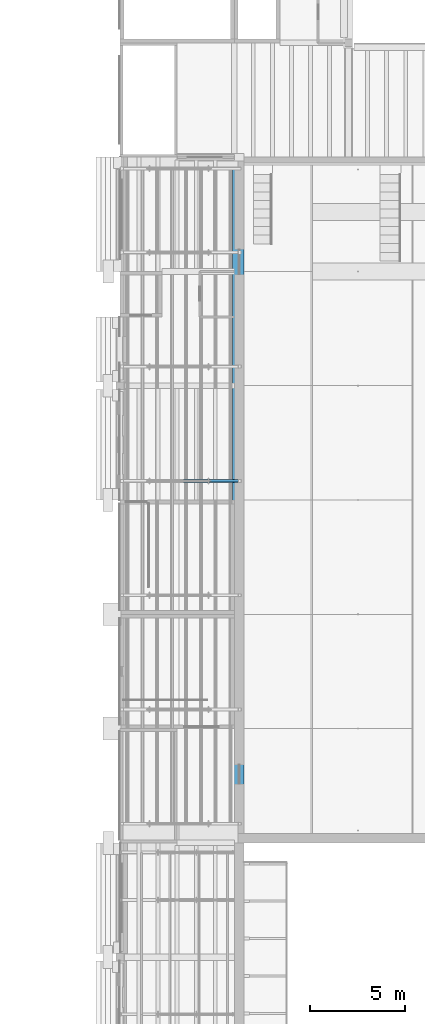
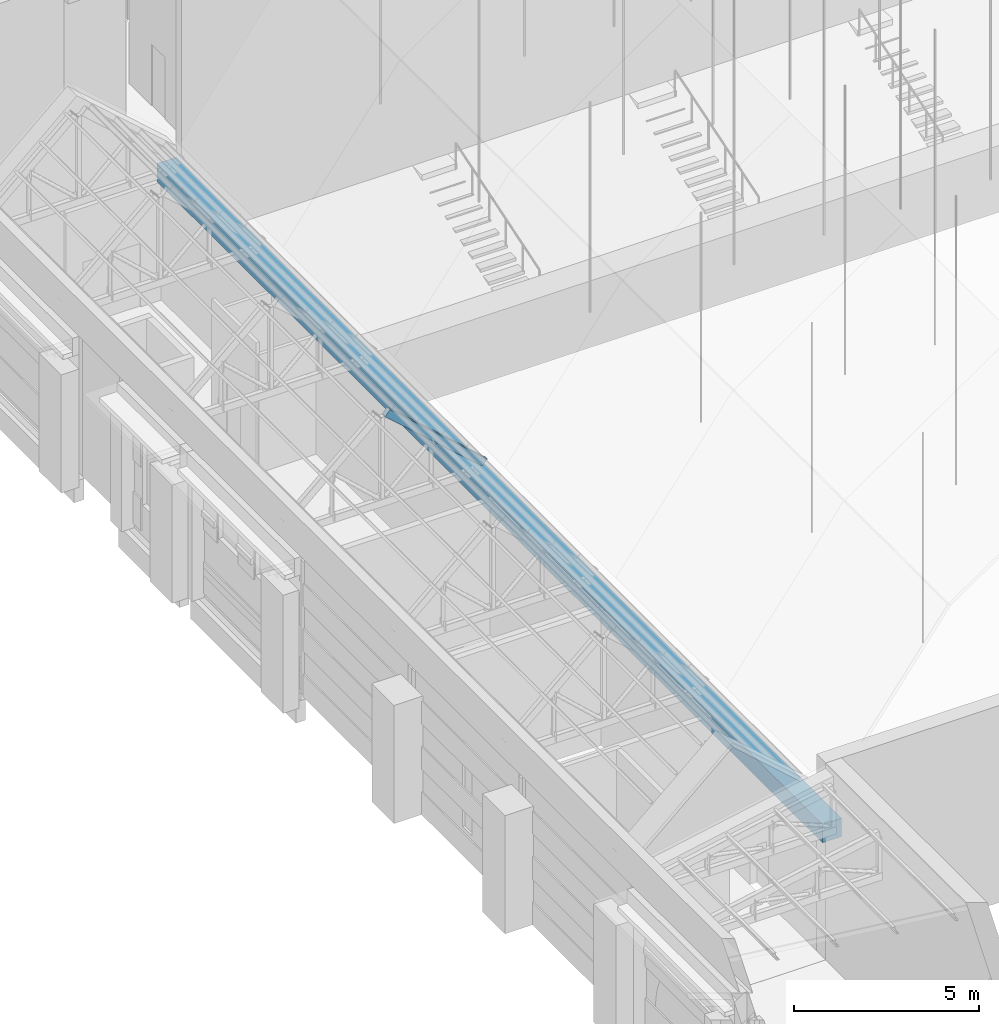
# One storey, part 39 of 118: 1 beam, 1 member.
"""IFC4 building model written with IfcOpenShell, lengths in metres."""

from ifc_helpers import new_model, si_unit, direction, frame, origin, origin_2d, place, context, subcontext, project, spatial, rectangle, hollow_rectangle, extrude, material, material_profile, profile_set, type_object, element, save


model = new_model("IFC4")

# Units and contexts
model_context = context("Model", 3, precision=1e-05, world=origin(), true_north=direction((0.0, 1.0)))
body_context = subcontext(model_context, "Body", "Model", "MODEL_VIEW")
ifc_project = project(units=[si_unit("LENGTHUNIT", "METRE"), si_unit("AREAUNIT", "SQUARE_METRE"), si_unit("VOLUMEUNIT", "CUBIC_METRE"), si_unit("PLANEANGLEUNIT", "RADIAN"), si_unit("MASSUNIT", "GRAM", prefix="KILO")], contexts=[model_context])

# Site, building, storey
site_placement = place(None, origin())
site = spatial("IfcSite", under=ifc_project, at=site_placement, CompositionType="ELEMENT")
building_placement = place(site_placement, origin())
building = spatial("IfcBuilding", under=site, at=building_placement, Name="Saffron Lane Theatres", CompositionType="ELEMENT")
storey_placement = place(building_placement, frame((0.0, 0.0, 16.5)))
storey = spatial("IfcBuildingStorey", under=building, at=storey_placement, Name="L03", CompositionType="ELEMENT", Elevation=16.5)

# Beam
ifc_material_1 = material(Name="Concrete N50 (50 MPa)", Category="concrete")
ifc_material_profile_1 = material_profile(ifc_material_1, rectangle(XDim=0.60009765625, YDim=0.60009765625, at=origin_2d()))
ifc_profile_set_1 = profile_set([ifc_material_profile_1], Name="Concrete N50 (50 MPa)")
beam_type = type_object("IfcBeamType", Name="RC-BEAM 600x600", PredefinedType="USERDEFINED", material=ifc_profile_set_1)
beam_placement = place(storey_placement, frame((18.199951171875, 54.0, 4.199951171875), z_axis=(0.0, 1.0, 0.0), x_axis=(-1.0, 0.0, 0.0)))
element("IfcBeam", 1, at=beam_placement, inside=storey, type_object=beam_type, Name="beam-L03-ring-W", ObjectType="RING BEAM", PredefinedType="USERDEFINED", context=body_context, shape_type="SweptSolid", body=[
    extrude(rectangle(XDim=0.60009765625, YDim=0.60009765625, at=origin_2d()), origin(), (0.0, 0.0, 1.0), 36.0),
])

# Member
ifc_material_2 = material(Name="Steel Grade 350", Category="steel")
ifc_material_profile_2 = material_profile(ifc_material_2, hollow_rectangle(XDim=0.14990234375, YDim=0.25, WallThickness=0.009033203125, InnerFilletRadius=0.00439453125, OuterFilletRadius=0.013427734375, at=origin_2d()))
ifc_profile_set_2 = profile_set([ifc_material_profile_2], Name="Steel Grade 350")
member_type = type_object("IfcMemberType", Name="ST-STUDIO TRUSS CHORD 250x150x9 RHS", PredefinedType="CHORD", material=ifc_profile_set_2)
member_placement = place(storey_placement, frame((18.282958984375, 73.0, 4.843505859375), z_axis=(-0.748261446236, 0.0, 0.663403955428), x_axis=(0.0, -1.0, 0.0)))
element("IfcMember", 2, at=member_placement, inside=storey, type_object=member_type, Name="SB1-C27", PredefinedType="CHORD", context=body_context, shape_type="SweptSolid", body=[
    extrude(hollow_rectangle(XDim=0.14990234375, YDim=0.25, WallThickness=0.009033203125, InnerFilletRadius=0.00439453125, OuterFilletRadius=0.013427734375, at=origin_2d()), origin(), (0.0, 0.0, 1.0), 4.0595703125),
])

save(model, "model.ifc")
